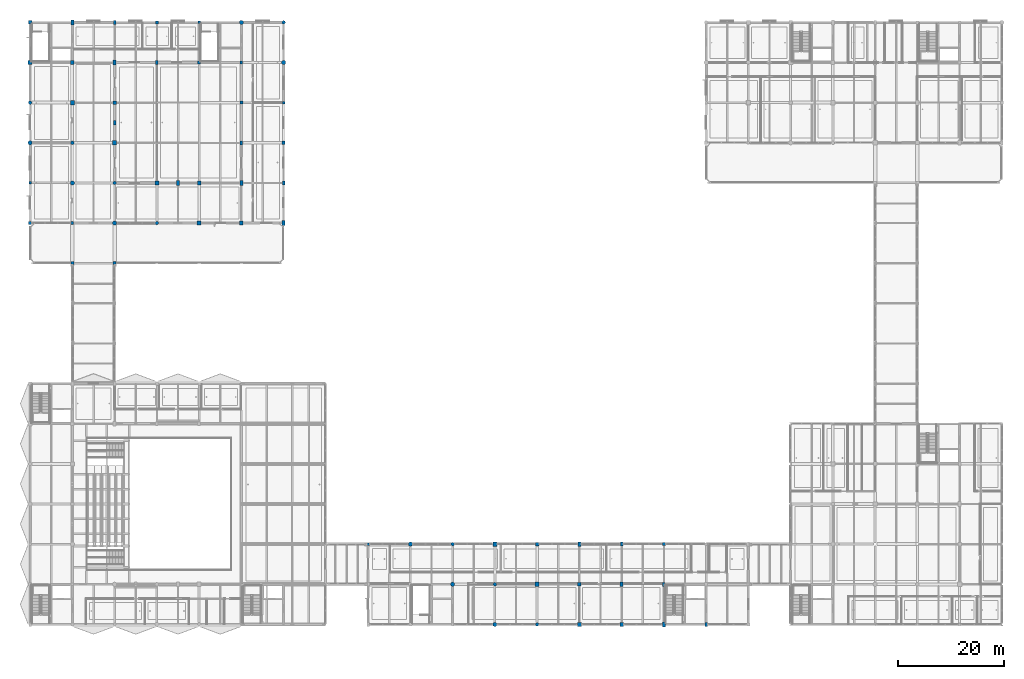
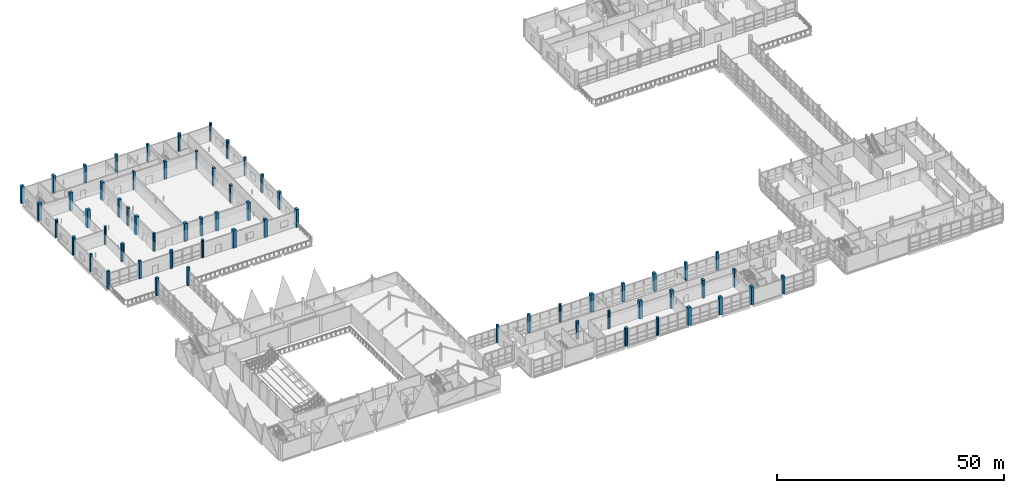
# One storey, part 5 of 141: 62 columns.
"""IFC4 building model written with IfcOpenShell, lengths in metres."""

from ifc_helpers import new_model, si_unit, direction, frame, origin, origin_2d, place, context, subcontext, project, spatial, rectangle, circle, extrude, material, material_profile, profile_set, type_object, element, save


model = new_model("IFC4")

# Units and contexts
model_context = context("Model", 3, precision=1e-05, world=origin(), true_north=direction((0.0, 1.0)))
body_context = subcontext(model_context, "Body", "Model", "MODEL_VIEW")
ifc_project = project(units=[si_unit("LENGTHUNIT", "METRE"), si_unit("AREAUNIT", "SQUARE_METRE"), si_unit("VOLUMEUNIT", "CUBIC_METRE"), si_unit("PLANEANGLEUNIT", "RADIAN"), si_unit("MASSUNIT", "GRAM", prefix="KILO")], contexts=[model_context])

# Site, building, storey
site_placement = place(None, origin())
site = spatial("IfcSite", under=ifc_project, at=site_placement, CompositionType="ELEMENT")
building_placement = place(site_placement, origin())
building = spatial("IfcBuilding", under=site, at=building_placement, Name="Khelvaren Railside Concert Hall", CompositionType="ELEMENT")
storey_placement = place(building_placement, frame((0.0, 0.0, 10.199951171875)))
storey = spatial("IfcBuildingStorey", under=building, at=storey_placement, Name="L02", CompositionType="ELEMENT", Elevation=10.199951171875)

# Columns
ifc_material = material(Name="Concrete C45/55", Category="concrete")
ifc_material_profile_1 = material_profile(ifc_material, rectangle(XDim=0.60009765625, YDim=0.60009765625, at=origin_2d()), Name="RC 600x600")
ifc_profile_set_1 = profile_set([ifc_material_profile_1], Name="Concrete C45/55")
column_type_1 = type_object("IfcColumnType", Name="COL11", PredefinedType="COLUMN", material=ifc_profile_set_1)
for number, where, z_axis, x_axis, name in (
    (1, (120.0, 15.199951171875, 0.0), (0.0, 0.0, 1.0), (1.0, 0.0, 0.0), "V3 L02 Column (120.0,15.2)"),
    (2, (0.0, 76.0, 0.0), (0.0, 0.0, 1.0), (1.0, 0.0, 0.0), "V4 L02 Column (0.0,76.0)"),
    (3, (24.0, 114.0, 0.0), (0.0, 0.0, 1.0), (1.0, 0.0, 0.0), "V4 L02 Column (24.0,114.0)"),
    (4, (48.0, 91.199951171875, 0.0), (0.0, 0.0, 1.0), (1.0, 0.0, 0.0), "V4 L02 Column (48.0,91.2)"),
    (5, (8.0, 68.39990234375, 0.0), (0.0, 0.0, 1.0), (1.0, 0.0, 0.0), "V4 L02 Bridge Portal Column (8,68.4)"),
    (6, (16.0, 68.39990234375, 0.0), (0.0, 0.0, 1.0), (1.0, 0.0, 0.0), "V4 L02 Bridge Portal Column (16,68.4)"),
):
    element("IfcColumn", number, at=place(storey_placement, frame(where, z_axis=z_axis, x_axis=x_axis)), inside=storey, type_object=column_type_1, Name=name, PredefinedType="COLUMN", context=body_context, shape_type="SweptSolid", body=[
        extrude(rectangle(XDim=0.60009765625, YDim=0.60009765625, at=origin_2d()), origin(), (0.0, 0.0, 1.0), 4.800048828125),
    ])
ifc_material_profile_2 = material_profile(ifc_material, circle(Radius=0.39990234375, at=origin_2d()), Name="RC D800")
ifc_profile_set_2 = profile_set([ifc_material_profile_2], Name="Concrete C45/55")
column_type_2 = type_object("IfcColumnType", Name="COL14", PredefinedType="COLUMN", material=ifc_profile_set_2)
for number, where, z_axis, x_axis, name in (
    (7, (80.0, 7.60009765625, 0.0), (0.0, 0.0, 1.0), (1.0, 0.0, 0.0), "V3 L02 Column (80.0,7.6)"),
    (8, (8.0, 83.60009765625, 0.0), (0.0, 0.0, 1.0), (1.0, 0.0, 0.0), "V4 L02 Column (8.0,83.6)"),
):
    element("IfcColumn", number, at=place(storey_placement, frame(where, z_axis=z_axis, x_axis=x_axis)), inside=storey, type_object=column_type_2, Name=name, PredefinedType="COLUMN", context=body_context, shape_type="SweptSolid", body=[
        extrude(circle(Radius=0.39990234375, at=origin_2d()), origin(), (0.0, 0.0, 1.0), 4.800048828125),
    ])
ifc_material_profile_3 = material_profile(ifc_material, rectangle(XDim=0.699951171875, YDim=0.699951171875, at=origin_2d()), Name="RC 700x700")
ifc_profile_set_3 = profile_set([ifc_material_profile_3], Name="Concrete C45/55")
column_type_3 = type_object("IfcColumnType", Name="COL16", PredefinedType="COLUMN", material=ifc_profile_set_3)
for number, where, z_axis, x_axis, name in (
    (9, (96.0, 15.199951171875, 0.0), (0.0, 0.0, 1.0), (1.0, 0.0, 0.0), "V3 L02 Column (96.0,15.2)"),
    (10, (112.0, 0.0, 0.0), (0.0, 0.0, 1.0), (1.0, 0.0, 0.0), "V3 L02 Column (112.0,0.0)"),
    (11, (0.0, 114.0, 0.0), (0.0, 0.0, 1.0), (1.0, 0.0, 0.0), "V4 L02 Column (0.0,114.0)"),
    (12, (40.0, 76.0, 0.0), (0.0, 0.0, 1.0), (1.0, 0.0, 0.0), "V4 L02 Column (40.0,76.0)"),
):
    element("IfcColumn", number, at=place(storey_placement, frame(where, z_axis=z_axis, x_axis=x_axis)), inside=storey, type_object=column_type_3, Name=name, PredefinedType="COLUMN", context=body_context, shape_type="SweptSolid", body=[
        extrude(rectangle(XDim=0.699951171875, YDim=0.699951171875, at=origin_2d()), origin(), (0.0, 0.0, 1.0), 4.800048828125),
    ])
ifc_material_profile_4 = material_profile(ifc_material, rectangle(XDim=0.800048828125, YDim=0.800048828125, at=origin_2d()), Name="RC 800x800")
ifc_profile_set_4 = profile_set([ifc_material_profile_4], Name="Concrete C45/55")
column_type_4 = type_object("IfcColumnType", Name="COL20", PredefinedType="COLUMN", material=ifc_profile_set_4)
for number, where, z_axis, x_axis, name in (
    (13, (96.0, 7.60009765625, 0.0), (0.0, 0.0, 1.0), (1.0, 0.0, 0.0), "V3 L02 Column (96.0,7.6)"),
    (14, (8.0, 98.800048828125, 0.0), (0.0, 0.0, 1.0), (1.0, 0.0, 0.0), "V4 L02 Column (8.0,98.8)"),
    (15, (16.0, 91.199951171875, 0.0), (0.0, 0.0, 1.0), (1.0, 0.0, 0.0), "V4 L02 Column (16.0,91.2)"),
    (16, (24.0, 83.60009765625, 0.0), (0.0, 0.0, 1.0), (1.0, 0.0, 0.0), "V4 L02 Column (24.0,83.6)"),
):
    element("IfcColumn", number, at=place(storey_placement, frame(where, z_axis=z_axis, x_axis=x_axis)), inside=storey, type_object=column_type_4, Name=name, PredefinedType="COLUMN", context=body_context, shape_type="SweptSolid", body=[
        extrude(rectangle(XDim=0.800048828125, YDim=0.800048828125, at=origin_2d()), origin(), (0.0, 0.0, 1.0), 4.800048828125),
    ])
ifc_material_profile_5 = material_profile(ifc_material, circle(Radius=0.39990234375, at=origin_2d()), Name="RC D800")
ifc_profile_set_5 = profile_set([ifc_material_profile_5], Name="Concrete C45/55")
column_type_5 = type_object("IfcColumnType", Name="COL22", PredefinedType="COLUMN", material=ifc_profile_set_5)
for number, where, z_axis, x_axis, name in (
    (17, (72.0, 15.199951171875, 0.0), (0.0, 0.0, 1.0), (1.0, 0.0, 0.0), "V3 L02 Column (72.0,15.2)"),
    (18, (88.0, 0.0, 0.0), (0.0, 0.0, 1.0), (1.0, 0.0, 0.0), "V3 L02 Column (88.0,0.0)"),
    (19, (0.0, 91.199951171875, 0.0), (0.0, 0.0, 1.0), (1.0, 0.0, 0.0), "V4 L02 Column (0.0,91.2)"),
    (20, (16.0, 76.0, 0.0), (0.0, 0.0, 1.0), (1.0, 0.0, 0.0), "V4 L02 Column (16.0,76.0)"),
    (21, (40.0, 114.0, 0.0), (0.0, 0.0, 1.0), (1.0, 0.0, 0.0), "V4 L02 Column (40.0,114.0)"),
    (22, (48.0, 106.39990234375, 0.0), (0.0, 0.0, 1.0), (1.0, 0.0, 0.0), "V4 L02 Column (48.0,106.4)"),
):
    element("IfcColumn", number, at=place(storey_placement, frame(where, z_axis=z_axis, x_axis=x_axis)), inside=storey, type_object=column_type_5, Name=name, PredefinedType="COLUMN", context=body_context, shape_type="SweptSolid", body=[
        extrude(circle(Radius=0.39990234375, at=origin_2d()), origin(), (0.0, 0.0, 1.0), 4.800048828125),
    ])
ifc_material_profile_6 = material_profile(ifc_material, rectangle(XDim=0.60009765625, YDim=0.60009765625, at=origin_2d()), Name="RC 600x600")
ifc_profile_set_6 = profile_set([ifc_material_profile_6], Name="Concrete C45/55")
column_type_6 = type_object("IfcColumnType", Name="COL29", PredefinedType="COLUMN", material=ifc_profile_set_6)
for number, where, z_axis, x_axis, name in (
    (23, (32.0, 106.39990234375, 0.0), (0.0, 0.0, 1.0), (1.0, 0.0, 0.0), "V4 L02 Column (32.0,106.4)"),
    (24, (40.0, 98.800048828125, 0.0), (0.0, 0.0, 1.0), (1.0, 0.0, 0.0), "V4 L02 Column (40.0,98.8)"),
):
    element("IfcColumn", number, at=place(storey_placement, frame(where, z_axis=z_axis, x_axis=x_axis)), inside=storey, type_object=column_type_6, Name=name, PredefinedType="COLUMN", context=body_context, shape_type="SweptSolid", body=[
        extrude(rectangle(XDim=0.60009765625, YDim=0.60009765625, at=origin_2d()), origin(), (0.0, 0.0, 1.0), 4.800048828125),
    ])
ifc_material_profile_7 = material_profile(ifc_material, rectangle(XDim=0.60009765625, YDim=0.89990234375, at=origin_2d()), Name="RC 600x900")
ifc_profile_set_7 = profile_set([ifc_material_profile_7], Name="Concrete C45/55")
column_type_7 = type_object("IfcColumnType", Name="COL33", PredefinedType="COLUMN", material=ifc_profile_set_7)
for number, where, z_axis, x_axis, name in (
    (25, (112.0, 7.60009765625, 0.0), (0.0, 0.0, 1.0), (1.0, 0.0, 0.0), "V3 L02 Column (112.0,7.6)"),
    (26, (16.0, 106.39990234375, 0.0), (0.0, 0.0, 1.0), (1.0, 0.0, 0.0), "V4 L02 Column (16.0,106.4)"),
    (27, (40.0, 83.60009765625, 0.0), (0.0, 0.0, 1.0), (1.0, 0.0, 0.0), "V4 L02 Column (40.0,83.6)"),
):
    element("IfcColumn", number, at=place(storey_placement, frame(where, z_axis=z_axis, x_axis=x_axis)), inside=storey, type_object=column_type_7, Name=name, PredefinedType="COLUMN", context=body_context, shape_type="SweptSolid", body=[
        extrude(rectangle(XDim=0.60009765625, YDim=0.89990234375, at=origin_2d()), origin(), (0.0, 0.0, 1.0), 4.800048828125),
    ])
ifc_material_profile_8 = material_profile(ifc_material, rectangle(XDim=0.5, YDim=0.5, at=origin_2d()), Name="RC 500x500")
ifc_profile_set_8 = profile_set([ifc_material_profile_8], Name="Concrete C45/55")
column_type_8 = type_object("IfcColumnType", Name="COL35", PredefinedType="COLUMN", material=ifc_profile_set_8)
for number, where, z_axis, x_axis, name in (
    (28, (64.0, 15.199951171875, 0.0), (0.0, 0.0, 1.0), (1.0, 0.0, 0.0), "V3 L02 Column (64.0,15.2)"),
    (29, (0.0, 83.60009765625, 0.0), (0.0, 0.0, 1.0), (1.0, 0.0, 0.0), "V4 L02 Column (0.0,83.6)"),
    (30, (8.0, 76.0, 0.0), (0.0, 0.0, 1.0), (1.0, 0.0, 0.0), "V4 L02 Column (8.0,76.0)"),
    (31, (32.0, 114.0, 0.0), (0.0, 0.0, 1.0), (1.0, 0.0, 0.0), "V4 L02 Column (32.0,114.0)"),
    (32, (48.0, 98.800048828125, 0.0), (0.0, 0.0, 1.0), (1.0, 0.0, 0.0), "V4 L02 Column (48.0,98.8)"),
):
    element("IfcColumn", number, at=place(storey_placement, frame(where, z_axis=z_axis, x_axis=x_axis)), inside=storey, type_object=column_type_8, Name=name, PredefinedType="COLUMN", context=body_context, shape_type="SweptSolid", body=[
        extrude(rectangle(XDim=0.5, YDim=0.5, at=origin_2d()), origin(), (0.0, 0.0, 1.0), 4.800048828125),
    ])
ifc_material_profile_9 = material_profile(ifc_material, rectangle(XDim=0.5, YDim=0.75, at=origin_2d()), Name="RC 500x750")
ifc_profile_set_9 = profile_set([ifc_material_profile_9], Name="Concrete C45/55")
column_type_9 = type_object("IfcColumnType", Name="COL36", PredefinedType="COLUMN", material=ifc_profile_set_9)
for number, where, z_axis, x_axis, name in (
    (33, (120.0, 7.60009765625, 0.0), (0.0, 0.0, 1.0), (1.0, 0.0, 0.0), "V3 L02 Column (120.0,7.6)"),
    (34, (24.0, 106.39990234375, 0.0), (0.0, 0.0, 1.0), (1.0, 0.0, 0.0), "V4 L02 Column (24.0,106.4)"),
    (35, (40.0, 91.199951171875, 0.0), (0.0, 0.0, 1.0), (1.0, 0.0, 0.0), "V4 L02 Column (40.0,91.2)"),
):
    element("IfcColumn", number, at=place(storey_placement, frame(where, z_axis=z_axis, x_axis=x_axis)), inside=storey, type_object=column_type_9, Name=name, PredefinedType="COLUMN", context=body_context, shape_type="SweptSolid", body=[
        extrude(rectangle(XDim=0.5, YDim=0.75, at=origin_2d()), origin(), (0.0, 0.0, 1.0), 4.800048828125),
    ])
ifc_material_profile_10 = material_profile(ifc_material, rectangle(XDim=0.800048828125, YDim=0.800048828125, at=origin_2d()), Name="RC 800x800")
ifc_profile_set_10 = profile_set([ifc_material_profile_10], Name="Concrete C45/55")
column_type_10 = type_object("IfcColumnType", Name="COL38", PredefinedType="COLUMN", material=ifc_profile_set_10)
for number, where, z_axis, x_axis, name in (
    (36, (88.0, 15.199951171875, 0.0), (0.0, 0.0, 1.0), (1.0, 0.0, 0.0), "V3 L02 Column (88.0,15.2)"),
    (37, (104.0, 0.0, 0.0), (0.0, 0.0, 1.0), (1.0, 0.0, 0.0), "V3 L02 Column (104.0,0.0)"),
    (38, (0.0, 106.39990234375, 0.0), (0.0, 0.0, 1.0), (1.0, 0.0, 0.0), "V4 L02 Column (0.0,106.4)"),
    (39, (32.0, 76.0, 0.0), (0.0, 0.0, 1.0), (1.0, 0.0, 0.0), "V4 L02 Column (32.0,76.0)"),
):
    element("IfcColumn", number, at=place(storey_placement, frame(where, z_axis=z_axis, x_axis=x_axis)), inside=storey, type_object=column_type_10, Name=name, PredefinedType="COLUMN", context=body_context, shape_type="SweptSolid", body=[
        extrude(rectangle(XDim=0.800048828125, YDim=0.800048828125, at=origin_2d()), origin(), (0.0, 0.0, 1.0), 4.800048828125),
    ])
ifc_material_profile_11 = material_profile(ifc_material, circle(Radius=0.324951171875, at=origin_2d()), Name="RC D650")
ifc_profile_set_11 = profile_set([ifc_material_profile_11], Name="Concrete C45/55")
column_type_11 = type_object("IfcColumnType", Name="COL53", PredefinedType="COLUMN", material=ifc_profile_set_11)
for number, where, z_axis, x_axis, name in (
    (40, (80.0, 15.199951171875, 0.0), (0.0, 0.0, 1.0), (1.0, 0.0, 0.0), "V3 L02 Column (80.0,15.2)"),
    (41, (96.0, 0.0, 0.0), (0.0, 0.0, 1.0), (1.0, 0.0, 0.0), "V3 L02 Column (96.0,0.0)"),
    (42, (0.0, 98.800048828125, 0.0), (0.0, 0.0, 1.0), (1.0, 0.0, 0.0), "V4 L02 Column (0.0,98.8)"),
    (43, (24.0, 76.0, 0.0), (0.0, 0.0, 1.0), (1.0, 0.0, 0.0), "V4 L02 Column (24.0,76.0)"),
    (44, (48.0, 114.0, 0.0), (0.0, 0.0, 1.0), (1.0, 0.0, 0.0), "V4 L02 Column (48.0,114.0)"),
):
    element("IfcColumn", number, at=place(storey_placement, frame(where, z_axis=z_axis, x_axis=x_axis)), inside=storey, type_object=column_type_11, Name=name, PredefinedType="COLUMN", context=body_context, shape_type="SweptSolid", body=[
        extrude(circle(Radius=0.324951171875, at=origin_2d()), origin(), (0.0, 0.0, 1.0), 4.800048828125),
    ])
ifc_material_profile_12 = material_profile(ifc_material, rectangle(XDim=0.699951171875, YDim=0.699951171875, at=origin_2d()), Name="RC 700x700")
ifc_profile_set_12 = profile_set([ifc_material_profile_12], Name="Concrete C45/55")
column_type_12 = type_object("IfcColumnType", Name="COL74", PredefinedType="COLUMN", material=ifc_profile_set_12)
for number, where, z_axis, x_axis, name in (
    (45, (104.0, 7.60009765625, 0.0), (0.0, 0.0, 1.0), (1.0, 0.0, 0.0), "V3 L02 Column (104.0,7.6)"),
    (46, (8.0, 106.39990234375, 0.0), (0.0, 0.0, 1.0), (1.0, 0.0, 0.0), "V4 L02 Column (8.0,106.4)"),
    (47, (16.0, 98.800048828125, 0.0), (0.0, 0.0, 1.0), (1.0, 0.0, 0.0), "V4 L02 Column (16.0,98.8)"),
    (48, (32.0, 83.60009765625, 0.0), (0.0, 0.0, 1.0), (1.0, 0.0, 0.0), "V4 L02 Column (32.0,83.6)"),
):
    element("IfcColumn", number, at=place(storey_placement, frame(where, z_axis=z_axis, x_axis=x_axis)), inside=storey, type_object=column_type_12, Name=name, PredefinedType="COLUMN", context=body_context, shape_type="SweptSolid", body=[
        extrude(rectangle(XDim=0.699951171875, YDim=0.699951171875, at=origin_2d()), origin(), (0.0, 0.0, 1.0), 4.800048828125),
    ])
ifc_material_profile_13 = material_profile(ifc_material, rectangle(XDim=0.5, YDim=0.5, at=origin_2d()), Name="RC 500x500")
ifc_profile_set_13 = profile_set([ifc_material_profile_13], Name="Concrete C45/55")
column_type_13 = type_object("IfcColumnType", Name="COL84", PredefinedType="COLUMN", material=ifc_profile_set_13)
column_1_placement = place(storey_placement, frame((40.0, 106.39990234375, 0.0), z_axis=(0.0, 0.0, 1.0), x_axis=(1.0, 0.0, 0.0)))
element("IfcColumn", 49, at=column_1_placement, inside=storey, type_object=column_type_13, Name="V4 L02 Column (40.0,106.4)", PredefinedType="COLUMN", context=body_context, shape_type="SweptSolid", body=[
    extrude(rectangle(XDim=0.5, YDim=0.5, at=origin_2d()), origin(), (0.0, 0.0, 1.0), 4.800048828125),
])
ifc_material_profile_14 = material_profile(ifc_material, circle(Radius=0.324951171875, at=origin_2d()), Name="RC D650")
ifc_profile_set_14 = profile_set([ifc_material_profile_14], Name="Concrete C45/55")
column_type_14 = type_object("IfcColumnType", Name="COL94", PredefinedType="COLUMN", material=ifc_profile_set_14)
for number, where, z_axis, x_axis, name in (
    (50, (88.0, 7.60009765625, 0.0), (0.0, 0.0, 1.0), (1.0, 0.0, 0.0), "V3 L02 Column (88.0,7.6)"),
    (51, (8.0, 91.199951171875, 0.0), (0.0, 0.0, 1.0), (1.0, 0.0, 0.0), "V4 L02 Column (8.0,91.2)"),
    (52, (16.0, 83.60009765625, 0.0), (0.0, 0.0, 1.0), (1.0, 0.0, 0.0), "V4 L02 Column (16.0,83.6)"),
):
    element("IfcColumn", number, at=place(storey_placement, frame(where, z_axis=z_axis, x_axis=x_axis)), inside=storey, type_object=column_type_14, Name=name, PredefinedType="COLUMN", context=body_context, shape_type="SweptSolid", body=[
        extrude(circle(Radius=0.324951171875, at=origin_2d()), origin(), (0.0, 0.0, 1.0), 4.800048828125),
    ])
ifc_material_profile_15 = material_profile(ifc_material, rectangle(XDim=0.60009765625, YDim=0.89990234375, at=origin_2d()), Name="RC 600x900")
ifc_profile_set_15 = profile_set([ifc_material_profile_15], Name="Concrete C45/55")
column_type_15 = type_object("IfcColumnType", Name="COL95", PredefinedType="COLUMN", material=ifc_profile_set_15)
for number, where, z_axis, x_axis, name in (
    (53, (104.0, 15.199951171875, 0.0), (0.0, 0.0, 1.0), (1.0, 0.0, 0.0), "V3 L02 Column (104.0,15.2)"),
    (54, (120.0, 0.0, 0.0), (0.0, 0.0, 1.0), (1.0, 0.0, 0.0), "V3 L02 Column (120.0,0.0)"),
    (55, (8.0, 114.0, 0.0), (0.0, 0.0, 1.0), (1.0, 0.0, 0.0), "V4 L02 Column (8.0,114.0)"),
    (56, (48.0, 76.0, 0.0), (0.0, 0.0, 1.0), (1.0, 0.0, 0.0), "V4 L02 Column (48.0,76.0)"),
):
    element("IfcColumn", number, at=place(storey_placement, frame(where, z_axis=z_axis, x_axis=x_axis)), inside=storey, type_object=column_type_15, Name=name, PredefinedType="COLUMN", context=body_context, shape_type="SweptSolid", body=[
        extrude(rectangle(XDim=0.60009765625, YDim=0.89990234375, at=origin_2d()), origin(), (0.0, 0.0, 1.0), 4.800048828125),
    ])
ifc_material_profile_16 = material_profile(ifc_material, rectangle(XDim=0.5, YDim=0.75, at=origin_2d()), Name="RC 500x750")
ifc_profile_set_16 = profile_set([ifc_material_profile_16], Name="Concrete C45/55")
column_type_16 = type_object("IfcColumnType", Name="COL97", PredefinedType="COLUMN", material=ifc_profile_set_16)
for number, where, z_axis, x_axis, name in (
    (57, (112.0, 15.199951171875, 0.0), (0.0, 0.0, 1.0), (1.0, 0.0, 0.0), "V3 L02 Column (112.0,15.2)"),
    (58, (128.0, 0.0, 0.0), (0.0, 0.0, 1.0), (1.0, 0.0, 0.0), "V3 L02 Column (128.0,0.0)"),
    (59, (16.0, 114.0, 0.0), (0.0, 0.0, 1.0), (1.0, 0.0, 0.0), "V4 L02 Column (16.0,114.0)"),
    (60, (48.0, 83.60009765625, 0.0), (0.0, 0.0, 1.0), (1.0, 0.0, 0.0), "V4 L02 Column (48.0,83.6)"),
):
    element("IfcColumn", number, at=place(storey_placement, frame(where, z_axis=z_axis, x_axis=x_axis)), inside=storey, type_object=column_type_16, Name=name, PredefinedType="COLUMN", context=body_context, shape_type="SweptSolid", body=[
        extrude(rectangle(XDim=0.5, YDim=0.75, at=origin_2d()), origin(), (0.0, 0.0, 1.0), 4.800048828125),
    ])
ifc_material_profile_17 = material_profile(ifc_material, rectangle(XDim=0.5, YDim=0.89990234375, at=origin_2d()), Name="PIL 500x900")
ifc_profile_set_17 = profile_set([ifc_material_profile_17], Name="Concrete C45/55")
column_type_17 = type_object("IfcColumnType", Name="PIL31", PredefinedType="PILASTER", material=ifc_profile_set_17)
column_2_placement = place(storey_placement, frame((28.0, 83.60009765625, 0.0), z_axis=(0.0, 0.0, 1.0), x_axis=(1.0, 0.0, 0.0)))
element("IfcColumn", 61, at=column_2_placement, inside=storey, type_object=column_type_17, Name="Acoustic Buttress Pilaster 24", PredefinedType="PILASTER", context=body_context, shape_type="SweptSolid", body=[
    extrude(rectangle(XDim=0.5, YDim=0.89990234375, at=origin_2d()), origin(), (0.0, 0.0, 1.0), 4.800048828125),
])
ifc_material_profile_18 = material_profile(ifc_material, rectangle(XDim=0.449951171875, YDim=0.800048828125, at=origin_2d()), Name="PIL 450x800")
ifc_profile_set_18 = profile_set([ifc_material_profile_18], Name="Concrete C45/55")
column_type_18 = type_object("IfcColumnType", Name="PIL63", PredefinedType="PILASTER", material=ifc_profile_set_18)
column_3_placement = place(storey_placement, frame((16.0, 95.0, 0.0), z_axis=(0.0, 0.0, 1.0), x_axis=(1.0, 0.0, 0.0)))
element("IfcColumn", 62, at=column_3_placement, inside=storey, type_object=column_type_18, Name="Acoustic Buttress Pilaster 23", PredefinedType="PILASTER", context=body_context, shape_type="SweptSolid", body=[
    extrude(rectangle(XDim=0.449951171875, YDim=0.800048828125, at=origin_2d()), origin(), (0.0, 0.0, 1.0), 4.800048828125),
])

save(model, "model.ifc")
